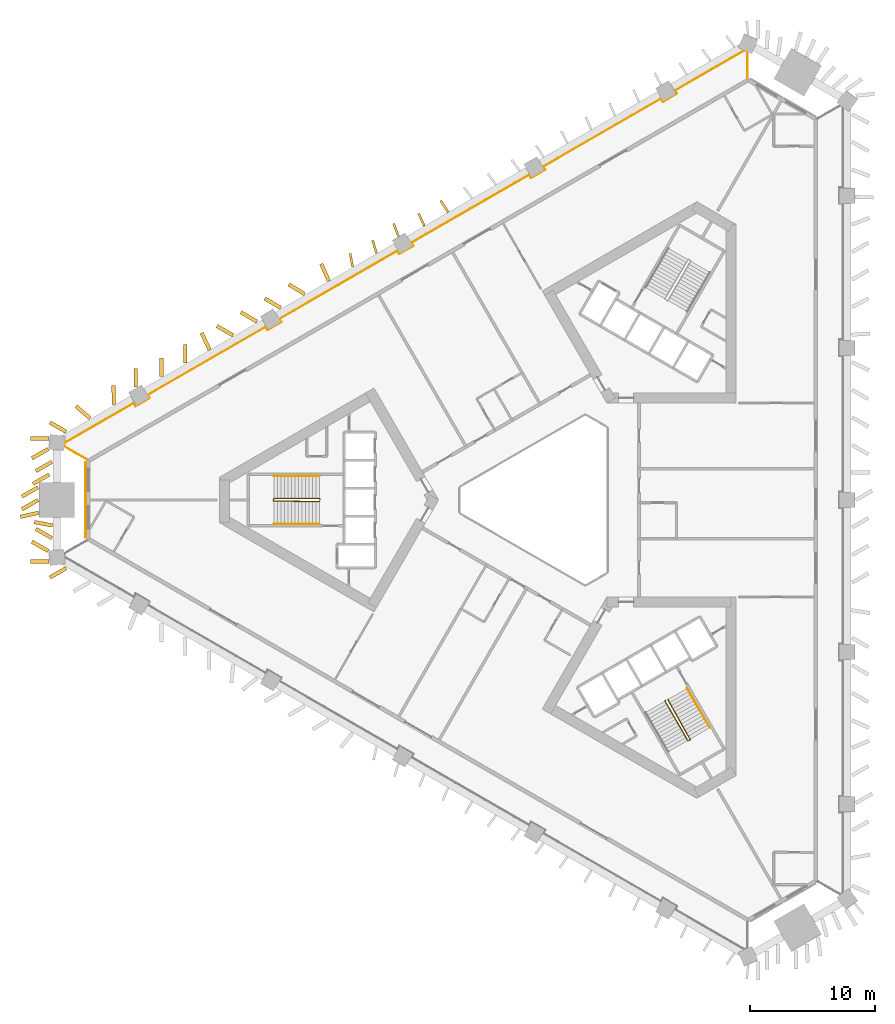
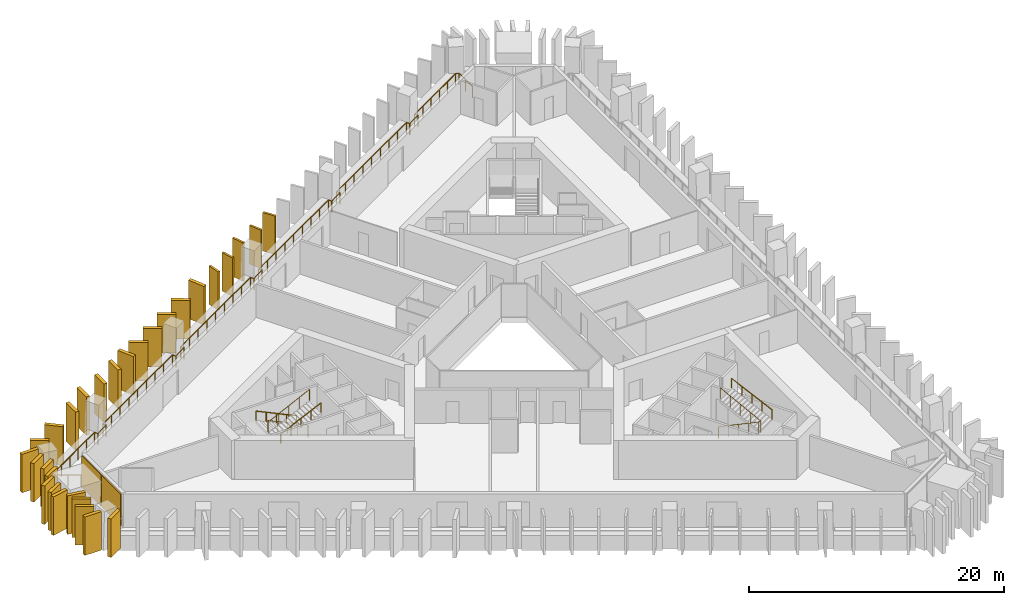
# One storey, part 8 of 10: 29 shading devices, 6 railings, 2 coverings.
"""IFC4 building model written with IfcOpenShell, lengths in metres."""

from ifc_helpers import new_model, si_unit, direction, frame, frame_2d, origin, origin_2d, place, context, subcontext, project, spatial, rectangle, circle, extrude, material, layer, layer_set, type_object, element, save


model = new_model("IFC4")

# Units and contexts
model_context = context("Model", 3, precision=1e-05, world=origin(), true_north=direction((0.0, 1.0)))
body_context = subcontext(model_context, "Body", "Model", "MODEL_VIEW")
ifc_project = project(units=[si_unit("LENGTHUNIT", "METRE"), si_unit("AREAUNIT", "SQUARE_METRE"), si_unit("VOLUMEUNIT", "CUBIC_METRE"), si_unit("PLANEANGLEUNIT", "RADIAN"), si_unit("MASSUNIT", "GRAM", prefix="KILO")], contexts=[model_context])

# Site, building, storey
site_placement = place(None, origin())
site = spatial("IfcSite", under=ifc_project, at=site_placement, CompositionType="ELEMENT")
building_placement = place(site_placement, origin())
building = spatial("IfcBuilding", under=site, at=building_placement, Name="Jabali Bay Hotel Tower and Convention Centre", CompositionType="ELEMENT")
storey_placement = place(building_placement, frame((0.0, 0.0, 41.10009765625)))
storey = spatial("IfcBuildingStorey", under=building, at=storey_placement, Name="L08", CompositionType="ELEMENT", Elevation=41.10009765625)

# Railing
ifc_material_1 = material(Name="Glass", Category="glass")
railing_type_1 = type_object("IfcRailingType", Name="Loggia glass guard 1100", PredefinedType="BALUSTRADE", material=ifc_material_1)
railing_1_placement = place(storey_placement, frame((37.72021484375, 83.274658203125, 0.0)))
element("IfcRailing", 1, at=railing_1_placement, inside=storey, type_object=railing_type_1, Name="Loggia glass guard L08", PredefinedType="BALUSTRADE", context=body_context, shape_type="SweptSolid", body=[
    extrude(circle(Radius=0.02490234375, at=origin_2d()), frame((0.0, 0.0, 1.0751953125), z_axis=(-0.866005633567, 0.500034241458, 0.0), x_axis=(-0.495756379204, -0.858596835321, 0.13052619222)), (0.0, 0.0, 1.0), 2.055908203125),
    extrude(circle(Radius=0.02490234375, at=origin_2d()), frame((-1.780517578125, 1.028076171875, 1.0751953125), z_axis=(0.115132230487, 0.993350174663, 0.0), x_axis=(-0.984851926214, 0.114147258294, 0.13052619222)), (0.0, 0.0, 1.0), 0.2734375),
    extrude(circle(Radius=0.02490234375, at=origin_2d()), frame((-1.7490234375, 1.2998046875, 1.0751953125), z_axis=(0.866039286129, 0.499975954304, 0.0), x_axis=(-0.495698590705, 0.85863019998, 0.13052619222)), (0.0, 0.0, 1.0), 6.419189453125),
    extrude(circle(Radius=0.02490234375, at=origin_2d()), frame((3.810302734375, 4.50927734375, 1.0751953125), z_axis=(0.500426713919, -0.865778900179, 0.0), x_axis=(0.858372041669, 0.49614549401, 0.13052619222)), (0.0, 0.0, 1.0), 0.300048828125),
    extrude(circle(Radius=0.02490234375, at=origin_2d()), frame((3.96044921875, 4.24951171875, 1.0751953125), z_axis=(0.86595725628, 0.500118016368, 0.0), x_axis=(-0.495839437409, 0.858548871908, 0.13052619222)), (0.0, 0.0, 1.0), 1.300048828125),
    extrude(circle(Radius=0.02490234375, at=origin_2d()), frame((5.086181640625, 4.899658203125, 1.0751953125), z_axis=(-0.499816412211, 0.866131372301, 0.0), x_axis=(-0.858721498343, -0.495540413517, 0.13052619222)), (0.0, 0.0, 1.0), 0.2998046875),
    extrude(circle(Radius=0.02490234375, at=origin_2d()), frame((4.936279296875, 5.159423828125, 1.0751953125), z_axis=(0.866026630959, 0.499997874465, 0.0), x_axis=(-0.495720323336, 0.858617653077, 0.13052619222)), (0.0, 0.0, 1.0), 10.92138671875),
    extrude(circle(Radius=0.02490234375, at=origin_2d()), frame((14.39453125, 10.6201171875, 1.0751953125), z_axis=(0.500426713919, -0.865778900179, 0.0), x_axis=(0.858372041669, 0.49614549401, 0.13052619222)), (0.0, 0.0, 1.0), 0.300048828125),
    extrude(circle(Radius=0.02490234375, at=origin_2d()), frame((14.544677734375, 10.3603515625, 1.0751953125), z_axis=(0.86595725628, 0.500118016368, 0.0), x_axis=(-0.495839437409, 0.858548871908, 0.13052619222)), (0.0, 0.0, 1.0), 1.300048828125),
    extrude(circle(Radius=0.02490234375, at=origin_2d()), frame((15.67041015625, 11.010498046875, 1.0751953125), z_axis=(-0.499816412211, 0.866131372301, 0.0), x_axis=(-0.858721498343, -0.495540413517, 0.13052619222)), (0.0, 0.0, 1.0), 0.2998046875),
    extrude(circle(Radius=0.02490234375, at=origin_2d()), frame((15.5205078125, 11.270263671875, 1.0751953125), z_axis=(0.866032219316, 0.499988194968, 0.0), x_axis=(-0.495710726648, 0.858623193625, 0.13052619222)), (0.0, 0.0, 1.0), 10.921630859375),
    extrude(circle(Radius=0.02490234375, at=origin_2d()), frame((24.97900390625, 16.73095703125, 1.0751953125), z_axis=(0.499816412211, -0.866131372301, 0.0), x_axis=(0.858721498343, 0.495540413517, 0.13052619222)), (0.0, 0.0, 1.0), 0.2998046875),
    extrude(circle(Radius=0.02490234375, at=origin_2d()), frame((25.12890625, 16.47119140625, 1.0751953125), z_axis=(0.86595725628, 0.500118016368, 0.0), x_axis=(-0.495839437409, 0.858548871908, 0.13052619222)), (0.0, 0.0, 1.0), 1.300048828125),
    extrude(circle(Radius=0.02490234375, at=origin_2d()), frame((26.254638671875, 17.121337890625, 1.0751953125), z_axis=(-0.499816412211, 0.866131372301, 0.0), x_axis=(-0.858721498343, -0.495540413517, 0.13052619222)), (0.0, 0.0, 1.0), 0.2998046875),
    extrude(circle(Radius=0.02490234375, at=origin_2d()), frame((26.104736328125, 17.381103515625, 1.0751953125), z_axis=(0.866032219316, 0.499988194968, 0.0), x_axis=(-0.495710726648, 0.858623193625, 0.13052619222)), (0.0, 0.0, 1.0), 10.921630859375),
    extrude(circle(Radius=0.02490234375, at=origin_2d()), frame((35.563232421875, 22.841796875, 1.0751953125), z_axis=(0.499816412211, -0.866131372301, 0.0), x_axis=(0.858721498343, 0.495540413517, 0.13052619222)), (0.0, 0.0, 1.0), 0.2998046875),
    extrude(circle(Radius=0.02490234375, at=origin_2d()), frame((35.713134765625, 22.58203125, 1.0751953125), z_axis=(0.866004217611, 0.500036693733, 0.0), x_axis=(-0.4957588105, 0.858595431479, 0.13052619222)), (0.0, 0.0, 1.0), 1.30029296875),
    extrude(circle(Radius=0.02490234375, at=origin_2d()), frame((36.839111328125, 23.232177734375, 1.0751953125), z_axis=(-0.500426713919, 0.865778900179, 0.0), x_axis=(-0.858372041669, -0.49614549401, 0.13052619222)), (0.0, 0.0, 1.0), 0.300048828125),
    extrude(circle(Radius=0.02490234375, at=origin_2d()), frame((36.68896484375, 23.491943359375, 1.0751953125), z_axis=(0.866032219316, 0.499988194968, 0.0), x_axis=(-0.495710726648, 0.858623193625, 0.13052619222)), (0.0, 0.0, 1.0), 10.921630859375),
    extrude(circle(Radius=0.02490234375, at=origin_2d()), frame((46.1474609375, 28.95263671875, 1.0751953125), z_axis=(0.500426713919, -0.865778900179, 0.0), x_axis=(0.858372041669, 0.49614549401, 0.13052619222)), (0.0, 0.0, 1.0), 0.300048828125),
    extrude(circle(Radius=0.02490234375, at=origin_2d()), frame((46.297607421875, 28.69287109375, 1.0751953125), z_axis=(0.86595725628, 0.500118016368, 0.0), x_axis=(-0.495839437409, 0.858548871908, 0.13052619222)), (0.0, 0.0, 1.0), 1.300048828125),
    extrude(circle(Radius=0.02490234375, at=origin_2d()), frame((47.42333984375, 29.343017578125, 1.0751953125), z_axis=(-0.499816412211, 0.866131372301, 0.0), x_axis=(-0.858721498343, -0.495540413517, 0.13052619222)), (0.0, 0.0, 1.0), 0.2998046875),
    extrude(circle(Radius=0.02490234375, at=origin_2d()), frame((47.2734375, 29.602783203125, 1.0751953125), z_axis=(0.866013309323, 0.500020947636, 0.0), x_axis=(-0.495743199113, 0.85860444541, 0.13052619222)), (0.0, 0.0, 1.0), 6.419189453125),
    extrude(circle(Radius=0.02490234375, at=origin_2d()), frame((52.83251953125, 32.8125, 1.0751953125), z_axis=(0.917848253155, -0.396931460305, 0.0), x_axis=(0.393535656637, 0.909995934112, 0.13052619222)), (0.0, 0.0, 1.0), 0.273681640625),
    extrude(circle(Radius=0.02490234375, at=origin_2d()), frame((53.083740234375, 32.703857421875, 1.0751953125), z_axis=(0.0, -1.0, 0.0), x_axis=(0.991444861374, 0.0, 0.13052619222)), (0.0, 0.0, 1.0), 2.055908203125),
    extrude(circle(Radius=0.02001953125, at=origin_2d()), origin(), (0.0, 0.0, 1.0), 1.050048828125),
    extrude(circle(Radius=0.02001953125, at=origin_2d()), frame((-0.89013671875, 0.51416015625, 0.0)), (0.0, 0.0, 1.0), 1.050048828125),
    extrude(circle(Radius=0.02001953125, at=origin_2d()), frame((-1.780517578125, 1.028076171875, 0.0)), (0.0, 0.0, 1.0), 1.050048828125),
    extrude(circle(Radius=0.02001953125, at=origin_2d()), frame((-1.7490234375, 1.2998046875, 0.0)), (0.0, 0.0, 1.0), 1.050048828125),
    extrude(circle(Radius=0.02001953125, at=origin_2d()), frame((-0.63720703125, 1.941650390625, 0.0)), (0.0, 0.0, 1.0), 1.050048828125),
    extrude(circle(Radius=0.02001953125, at=origin_2d()), frame((0.474609375, 2.58349609375, 0.0)), (0.0, 0.0, 1.0), 1.050048828125),
    extrude(circle(Radius=0.02001953125, at=origin_2d()), frame((1.586669921875, 3.2255859375, 0.0)), (0.0, 0.0, 1.0), 1.050048828125),
    extrude(circle(Radius=0.02001953125, at=origin_2d()), frame((2.698486328125, 3.867431640625, 0.0)), (0.0, 0.0, 1.0), 1.050048828125),
    extrude(circle(Radius=0.02001953125, at=origin_2d()), frame((3.810302734375, 4.50927734375, 0.0)), (0.0, 0.0, 1.0), 1.050048828125),
    extrude(circle(Radius=0.02001953125, at=origin_2d()), frame((3.96044921875, 4.24951171875, 0.0)), (0.0, 0.0, 1.0), 1.050048828125),
    extrude(circle(Radius=0.02001953125, at=origin_2d()), frame((5.086181640625, 4.899658203125, 0.0)), (0.0, 0.0, 1.0), 1.050048828125),
    extrude(circle(Radius=0.02001953125, at=origin_2d()), frame((4.936279296875, 5.159423828125, 0.0)), (0.0, 0.0, 1.0), 1.050048828125),
    extrude(circle(Radius=0.02001953125, at=origin_2d()), frame((6.11865234375, 5.842041015625, 0.0)), (0.0, 0.0, 1.0), 1.050048828125),
    extrude(circle(Radius=0.02001953125, at=origin_2d()), frame((7.30078125, 6.524658203125, 0.0)), (0.0, 0.0, 1.0), 1.050048828125),
    extrude(circle(Radius=0.02001953125, at=origin_2d()), frame((8.483154296875, 7.207275390625, 0.0)), (0.0, 0.0, 1.0), 1.050048828125),
    extrude(circle(Radius=0.02001953125, at=origin_2d()), frame((9.66552734375, 7.8896484375, 0.0)), (0.0, 0.0, 1.0), 1.050048828125),
    extrude(circle(Radius=0.02001953125, at=origin_2d()), frame((10.84765625, 8.572265625, 0.0)), (0.0, 0.0, 1.0), 1.050048828125),
    extrude(circle(Radius=0.02001953125, at=origin_2d()), frame((12.030029296875, 9.2548828125, 0.0)), (0.0, 0.0, 1.0), 1.050048828125),
    extrude(circle(Radius=0.02001953125, at=origin_2d()), frame((13.212158203125, 9.9375, 0.0)), (0.0, 0.0, 1.0), 1.050048828125),
    extrude(circle(Radius=0.02001953125, at=origin_2d()), frame((14.39453125, 10.6201171875, 0.0)), (0.0, 0.0, 1.0), 1.050048828125),
    extrude(circle(Radius=0.02001953125, at=origin_2d()), frame((14.544677734375, 10.3603515625, 0.0)), (0.0, 0.0, 1.0), 1.050048828125),
    extrude(circle(Radius=0.02001953125, at=origin_2d()), frame((15.67041015625, 11.010498046875, 0.0)), (0.0, 0.0, 1.0), 1.050048828125),
    extrude(circle(Radius=0.02001953125, at=origin_2d()), frame((15.5205078125, 11.270263671875, 0.0)), (0.0, 0.0, 1.0), 1.050048828125),
    extrude(circle(Radius=0.02001953125, at=origin_2d()), frame((16.702880859375, 11.952880859375, 0.0)), (0.0, 0.0, 1.0), 1.050048828125),
    extrude(circle(Radius=0.02001953125, at=origin_2d()), frame((17.88525390625, 12.635498046875, 0.0)), (0.0, 0.0, 1.0), 1.050048828125),
    extrude(circle(Radius=0.02001953125, at=origin_2d()), frame((19.0673828125, 13.318115234375, 0.0)), (0.0, 0.0, 1.0), 1.050048828125),
    extrude(circle(Radius=0.02001953125, at=origin_2d()), frame((20.249755859375, 14.00048828125, 0.0)), (0.0, 0.0, 1.0), 1.050048828125),
    extrude(circle(Radius=0.02001953125, at=origin_2d()), frame((21.43212890625, 14.68310546875, 0.0)), (0.0, 0.0, 1.0), 1.050048828125),
    extrude(circle(Radius=0.02001953125, at=origin_2d()), frame((22.6142578125, 15.36572265625, 0.0)), (0.0, 0.0, 1.0), 1.050048828125),
    extrude(circle(Radius=0.02001953125, at=origin_2d()), frame((23.796630859375, 16.04833984375, 0.0)), (0.0, 0.0, 1.0), 1.050048828125),
    extrude(circle(Radius=0.02001953125, at=origin_2d()), frame((24.97900390625, 16.73095703125, 0.0)), (0.0, 0.0, 1.0), 1.050048828125),
    extrude(circle(Radius=0.02001953125, at=origin_2d()), frame((25.12890625, 16.47119140625, 0.0)), (0.0, 0.0, 1.0), 1.050048828125),
    extrude(circle(Radius=0.02001953125, at=origin_2d()), frame((26.254638671875, 17.121337890625, 0.0)), (0.0, 0.0, 1.0), 1.050048828125),
    extrude(circle(Radius=0.02001953125, at=origin_2d()), frame((26.104736328125, 17.381103515625, 0.0)), (0.0, 0.0, 1.0), 1.050048828125),
    extrude(circle(Radius=0.02001953125, at=origin_2d()), frame((27.287109375, 18.063720703125, 0.0)), (0.0, 0.0, 1.0), 1.050048828125),
    extrude(circle(Radius=0.02001953125, at=origin_2d()), frame((28.46923828125, 18.746337890625, 0.0)), (0.0, 0.0, 1.0), 1.050048828125),
    extrude(circle(Radius=0.02001953125, at=origin_2d()), frame((29.651611328125, 19.428955078125, 0.0)), (0.0, 0.0, 1.0), 1.050048828125),
    extrude(circle(Radius=0.02001953125, at=origin_2d()), frame((30.833984375, 20.111328125, 0.0)), (0.0, 0.0, 1.0), 1.050048828125),
    extrude(circle(Radius=0.02001953125, at=origin_2d()), frame((32.016357421875, 20.7939453125, 0.0)), (0.0, 0.0, 1.0), 1.050048828125),
    extrude(circle(Radius=0.02001953125, at=origin_2d()), frame((33.19873046875, 21.4765625, 0.0)), (0.0, 0.0, 1.0), 1.050048828125),
    extrude(circle(Radius=0.02001953125, at=origin_2d()), frame((34.380859375, 22.1591796875, 0.0)), (0.0, 0.0, 1.0), 1.050048828125),
    extrude(circle(Radius=0.02001953125, at=origin_2d()), frame((35.563232421875, 22.841796875, 0.0)), (0.0, 0.0, 1.0), 1.050048828125),
    extrude(circle(Radius=0.02001953125, at=origin_2d()), frame((35.713134765625, 22.58203125, 0.0)), (0.0, 0.0, 1.0), 1.050048828125),
    extrude(circle(Radius=0.02001953125, at=origin_2d()), frame((36.839111328125, 23.232177734375, 0.0)), (0.0, 0.0, 1.0), 1.050048828125),
    extrude(circle(Radius=0.02001953125, at=origin_2d()), frame((36.68896484375, 23.491943359375, 0.0)), (0.0, 0.0, 1.0), 1.050048828125),
    extrude(circle(Radius=0.02001953125, at=origin_2d()), frame((37.871337890625, 24.174560546875, 0.0)), (0.0, 0.0, 1.0), 1.050048828125),
    extrude(circle(Radius=0.02001953125, at=origin_2d()), frame((39.0537109375, 24.857177734375, 0.0)), (0.0, 0.0, 1.0), 1.050048828125),
    extrude(circle(Radius=0.02001953125, at=origin_2d()), frame((40.23583984375, 25.539794921875, 0.0)), (0.0, 0.0, 1.0), 1.050048828125),
    extrude(circle(Radius=0.02001953125, at=origin_2d()), frame((41.418212890625, 26.22216796875, 0.0)), (0.0, 0.0, 1.0), 1.050048828125),
    extrude(circle(Radius=0.02001953125, at=origin_2d()), frame((42.6005859375, 26.90478515625, 0.0)), (0.0, 0.0, 1.0), 1.050048828125),
    extrude(circle(Radius=0.02001953125, at=origin_2d()), frame((43.78271484375, 27.58740234375, 0.0)), (0.0, 0.0, 1.0), 1.050048828125),
    extrude(circle(Radius=0.02001953125, at=origin_2d()), frame((44.965087890625, 28.27001953125, 0.0)), (0.0, 0.0, 1.0), 1.050048828125),
    extrude(circle(Radius=0.02001953125, at=origin_2d()), frame((46.1474609375, 28.95263671875, 0.0)), (0.0, 0.0, 1.0), 1.050048828125),
    extrude(circle(Radius=0.02001953125, at=origin_2d()), frame((46.297607421875, 28.69287109375, 0.0)), (0.0, 0.0, 1.0), 1.050048828125),
    extrude(circle(Radius=0.02001953125, at=origin_2d()), frame((47.42333984375, 29.343017578125, 0.0)), (0.0, 0.0, 1.0), 1.050048828125),
    extrude(circle(Radius=0.02001953125, at=origin_2d()), frame((47.2734375, 29.602783203125, 0.0)), (0.0, 0.0, 1.0), 1.050048828125),
    extrude(circle(Radius=0.02001953125, at=origin_2d()), frame((48.38525390625, 30.24462890625, 0.0)), (0.0, 0.0, 1.0), 1.050048828125),
    extrude(circle(Radius=0.02001953125, at=origin_2d()), frame((49.4970703125, 30.88671875, 0.0)), (0.0, 0.0, 1.0), 1.050048828125),
    extrude(circle(Radius=0.02001953125, at=origin_2d()), frame((50.60888671875, 31.528564453125, 0.0)), (0.0, 0.0, 1.0), 1.050048828125),
    extrude(circle(Radius=0.02001953125, at=origin_2d()), frame((51.720703125, 32.170654296875, 0.0)), (0.0, 0.0, 1.0), 1.050048828125),
    extrude(circle(Radius=0.02001953125, at=origin_2d()), frame((52.83251953125, 32.8125, 0.0)), (0.0, 0.0, 1.0), 1.050048828125),
    extrude(circle(Radius=0.02001953125, at=origin_2d()), frame((53.083740234375, 32.703857421875, 0.0)), (0.0, 0.0, 1.0), 1.050048828125),
    extrude(circle(Radius=0.02001953125, at=origin_2d()), frame((53.083740234375, 31.67578125, 0.0)), (0.0, 0.0, 1.0), 1.050048828125),
    extrude(circle(Radius=0.02001953125, at=origin_2d()), frame((53.083740234375, 30.64794921875, 0.0)), (0.0, 0.0, 1.0), 1.050048828125),
])

# Shading devices
ifc_material_2 = material(Name="Precast concrete C60", Category="concrete")
ifc_layer_1 = layer(ifc_material_2, 0.179931640625)
ifc_layer_set_1 = layer_set([ifc_layer_1], Name="Precast concrete C60")
shading_device_type_1 = type_object("IfcShadingDeviceType", Name="Precast fin 3680 x 1100", PredefinedType="USERDEFINED", material=ifc_layer_set_1)
for number, where, z_axis, x_axis, name in (
    (2, (66.7685546875, 103.102294921875, 0.010009765625), (0.0, 0.0, 1.0), (-0.542864720572, 0.839820156437, 0.0), "Fin L08 050"),
    (3, (64.8515625, 101.999755859375, 0.010009765625), (0.0, 0.0, 1.0), (-0.418579594107, 0.908180116165, 0.0), "Fin L08 051"),
):
    element("IfcShadingDevice", number, at=place(storey_placement, frame(where, z_axis=z_axis, x_axis=x_axis)), inside=storey, type_object=shading_device_type_1, Name=name, ObjectType="FIN", PredefinedType="USERDEFINED", context=body_context, shape_type="SweptSolid", body=[
        extrude(rectangle(XDim=1.10009765625, YDim=0.179931640625, at=frame_2d((0.550048828125, 0.0))), origin(), (0.0, 0.0, 1.0), 3.679931640625),
    ])
for number, where, z_axis, x_axis, name in (
    (4, (62.780029296875, 101.16552734375, 0.010009765625), (0.0, 0.0, 1.0), (-0.358726187422, 0.933442832989, 0.0), "Fin L08 052"),
    (5, (61.015625, 99.79931640625, 0.010009765625), (0.0, 0.0, 1.0), (-0.289871867924, 0.957065462853, 0.0), "Fin L08 053"),
):
    element("IfcShadingDevice", number, at=place(storey_placement, frame(where, z_axis=z_axis, x_axis=x_axis)), inside=storey, type_object=shading_device_type_1, Name=name, ObjectType="FIN", PredefinedType="USERDEFINED", context=body_context, shape_type="SweptSolid", body=[
        extrude(rectangle(XDim=1.099853515625, YDim=0.179931640625, at=frame_2d((0.5498046875, 0.0))), origin(), (0.0, 0.0, 1.0), 3.679931640625),
    ])
shading_device_1_placement = place(storey_placement, frame((59.095703125, 98.702392578125, 0.010009765625), z_axis=(0.0, 0.0, 1.0), x_axis=(-0.176228485833, 0.984349287997, 0.0)))
element("IfcShadingDevice", 6, at=shading_device_1_placement, inside=storey, type_object=shading_device_type_1, Name="Fin L08 054", ObjectType="FIN", PredefinedType="USERDEFINED", context=body_context, shape_type="SweptSolid", body=[
    extrude(rectangle(XDim=1.10009765625, YDim=0.179931640625, at=frame_2d((0.550048828125, 0.0))), origin(), (0.0, 0.0, 1.0), 3.679931640625),
])
ifc_layer_2 = layer(ifc_material_2, 0.300048828125)
ifc_layer_set_2 = layer_set([ifc_layer_2], Name="Precast concrete C60")
shading_device_type_2 = type_object("IfcShadingDeviceType", Name="Precast fin 3680 x 1500", PredefinedType="USERDEFINED", material=ifc_layer_set_2)
for number, where, z_axis, x_axis, name in (
    (7, (57.188232421875, 97.58349609375, 0.010009765625), (0.0, 0.0, 1.0), (-0.408523083278, 0.912747988455, 0.0), "Fin L08 055"),
    (8, (55.2451171875, 96.52685546875, 0.010009765625), (0.0, 0.0, 1.0), (-0.853547270074, 0.52101541028, 0.0), "Fin L08 056"),
):
    element("IfcShadingDevice", number, at=place(storey_placement, frame(where, z_axis=z_axis, x_axis=x_axis)), inside=storey, type_object=shading_device_type_2, Name=name, ObjectType="FIN", PredefinedType="USERDEFINED", context=body_context, shape_type="SweptSolid", body=[
        extrude(rectangle(XDim=1.5, YDim=0.300048828125, at=frame_2d((0.75, 0.0))), origin(), (0.0, 0.0, 1.0), 3.679931640625),
    ])
shading_device_2_placement = place(storey_placement, frame((53.3291015625, 95.423095703125, 0.010009765625), z_axis=(0.0, 0.0, 1.0), x_axis=(-0.862364812042, 0.506287399559, 0.0)))
element("IfcShadingDevice", 9, at=shading_device_2_placement, inside=storey, type_object=shading_device_type_2, Name="Fin L08 057", ObjectType="FIN", PredefinedType="USERDEFINED", context=body_context, shape_type="SweptSolid", body=[
    extrude(rectangle(XDim=1.500244140625, YDim=0.300048828125, at=frame_2d((0.75, 0.0))), origin(), (0.0, 0.0, 1.0), 3.679931640625),
])
for number, where, z_axis, x_axis, name in (
    (10, (51.413818359375, 94.318115234375, 0.010009765625), (0.0, 0.0, 1.0), (-0.865009998506, 0.50175462378, 0.0), "Fin L08 058"),
    (11, (49.498779296875, 93.212646484375, 0.010009765625), (0.0, 0.0, 1.0), (-0.86566760887, 0.500619207536, 0.0), "Fin L08 059"),
    (12, (47.614990234375, 92.05322265625, 0.010009765625), (0.0, 0.0, 1.0), (-0.42579703633, 0.904818702201, 0.0), "Fin L08 060"),
    (13, (45.668701171875, 91.001708984375, 0.010009765625), (0.0, 0.0, 1.0), (0.0, 1.0, 0.0), "Fin L08 061"),
    (14, (43.75390625, 89.89599609375, 0.010009765625), (0.0, 0.0, 1.0), (-0.000162760415, 0.999999986755, 0.0), "Fin L08 062"),
    (15, (41.68505859375, 89.056640625, 0.010009765625), (0.0, 0.0, 1.0), (0.0, 1.0, 0.0), "Fin L08 063"),
    (16, (39.925048828125, 87.6826171875, 0.010009765625), (0.0, 0.0, 1.0), (-0.018554513255, 0.999827850201, 0.0), "Fin L08 064"),
    (17, (38.021240234375, 86.5576171875, 0.010009765625), (0.0, 0.0, 1.0), (-0.760725219422, 0.649074063983, 0.0), "Fin L08 065"),
    (18, (36.093994140625, 85.4736328125, 0.010009765625), (0.0, 0.0, 1.0), (-0.866031096941, 0.499990139034, 0.0), "Fin L08 066"),
    (19, (34.646484375, 84.09130859375, 0.010009765625), (0.0, 0.0, 1.0), (-0.866031096941, -0.499990139034, 0.0), "Fin L08 067"),
    (20, (34.95849609375, 83.068359375, 0.010009765625), (0.0, 0.0, 1.0), (-0.866031096941, -0.499990139034, 0.0), "Fin L08 068"),
    (21, (34.7392578125, 82.045654296875, 0.010009765625), (0.0, 0.0, 1.0), (-0.866031096941, -0.499990139034, 0.0), "Fin L08 069"),
    (22, (33.84619140625, 81.022705078125, 0.010009765625), (0.0, 0.0, 1.0), (-0.866031096941, -0.499990139034, 0.0), "Fin L08 070"),
    (23, (33.84619140625, 80.0, 0.010009765625), (0.0, 0.0, 1.0), (-0.866031096941, -0.499990139034, 0.0), "Fin L08 071"),
    (24, (33.887939453125, 78.977294921875, 0.010009765625), (0.0, 0.0, 1.0), (-0.975337105707, -0.220720479863, 0.0), "Fin L08 072"),
    (25, (35.005859375, 77.954345703125, 0.010009765625), (0.0, 0.0, 1.0), (-0.983033946325, 0.18342371813, 0.0), "Fin L08 073"),
    (26, (34.95849609375, 76.931640625, 0.010009765625), (0.0, 0.0, 1.0), (-0.866031096941, 0.499990139034, 0.0), "Fin L08 074"),
    (27, (34.646484375, 75.90869140625, 0.010009765625), (0.0, 0.0, 1.0), (-0.866031096941, 0.499990139034, 0.0), "Fin L08 075"),
    (28, (36.093994140625, 74.5263671875, 0.010009765625), (0.0, 0.0, 1.0), (-0.866031096941, -0.499990139034, 0.0), "Fin L08 076"),
    (29, (34.738037109375, 84.938720703125, 0.010009765625), (0.0, 0.0, 1.0), (-1.0, 0.0, 0.0), "Fin L08 117"),
    (30, (34.738037109375, 75.061279296875, 0.010009765625), (0.0, 0.0, 1.0), (-1.0, 0.0, 0.0), "Fin L08 118"),
):
    element("IfcShadingDevice", number, at=place(storey_placement, frame(where, z_axis=z_axis, x_axis=x_axis)), inside=storey, type_object=shading_device_type_2, Name=name, ObjectType="FIN", PredefinedType="USERDEFINED", context=body_context, shape_type="SweptSolid", body=[
        extrude(rectangle(XDim=1.5, YDim=0.300048828125, at=frame_2d((0.75, 0.0))), origin(), (0.0, 0.0, 1.0), 3.679931640625),
    ])

# Coverings
ifc_material_3 = material(Name="Precast concrete C40/50", Category="concrete")
ifc_layer_3 = layer(ifc_material_3, 0.080078125)
ifc_layer_set_3 = layer_set([ifc_layer_3], Name="Precast concrete C40/50")
covering_type = type_object("IfcCoveringType", Name="Relief panel 3000 x 3000", PredefinedType="CLADDING", material=ifc_layer_set_3)
for number, where, z_axis, x_axis, name in (
    (31, (37.68017578125, 78.45654296875, 0.099853515625), (0.0, 0.0, 1.0), (0.0, 1.0, 0.0), "Relief panel L08"),
    (32, (37.68017578125, 81.54345703125, 0.099853515625), (0.0, 0.0, 1.0), (0.0, 1.0, 0.0), "Relief panel L08"),
):
    element("IfcCovering", number, at=place(storey_placement, frame(where, z_axis=z_axis, x_axis=x_axis)), inside=storey, type_object=covering_type, Name=name, PredefinedType="CLADDING", context=body_context, shape_type="SweptSolid", body=[
        extrude(rectangle(XDim=3.0, YDim=0.080078125, at=origin_2d()), origin(), (0.0, 0.0, 1.0), 3.0),
    ])

# Railings
ifc_material_4 = material(Name="Steel Q355B", Category="steel")
railing_type_2 = type_object("IfcRailingType", Name="Stair guard 1100", PredefinedType="GUARDRAIL", material=ifc_material_4)
railing_2_placement = place(storey_placement, frame((56.469970703125, 80.074951171875, 0.0)))
element("IfcRailing", 33, at=railing_2_placement, inside=storey, type_object=railing_type_2, Name="L08 ST1 stair guard 1", PredefinedType="GUARDRAIL", context=body_context, shape_type="SweptSolid", body=[
    extrude(circle(Radius=0.02392578125, at=origin_2d()), frame((0.0, 0.0, 1.076171875), z_axis=(-0.333993628408, 0.333993628408, 0.881417331555), x_axis=(-0.707106781187, -0.707106781187, 0.0)), (0.0, 0.0, 1.0), 0.14990234375),
    extrude(circle(Radius=0.02392578125, at=origin_2d()), frame((-0.050048828125, 0.050048828125, 1.2080078125), z_axis=(-0.904350763662, 0.0, 0.426789990819), x_axis=(0.0, -1.0, 0.0)), (0.0, 0.0, 1.0), 4.02490234375),
    extrude(circle(Radius=0.02392578125, at=origin_2d()), frame((-3.68994140625, 0.050048828125, 2.92578125), z_axis=(-0.242814311512, -0.970072785993, 0.0), x_axis=(0.970072785993, -0.242814311512, 0.0)), (0.0, 0.0, 1.0), 0.2060546875),
    extrude(circle(Radius=0.02392578125, at=origin_2d()), frame((-3.739990234375, -0.14990234375, 2.92578125), z_axis=(0.893864111827, -0.012124000458, 0.448174026692), x_axis=(0.013562335953, 0.999908027292, 0.0)), (0.0, 0.0, 1.0), 4.128173828125),
    extrude(circle(Radius=0.02099609375, at=origin_2d()), origin(), (0.0, 0.0, 1.0), 1.052001953125),
    extrude(circle(Radius=0.02099609375, at=origin_2d()), frame((-0.050048828125, 0.050048828125, 0.132080078125)), (0.0, 0.0, 1.0), 1.052001953125),
    extrude(circle(Radius=0.02099609375, at=origin_2d()), frame((-0.9599609375, 0.050048828125, 0.5615234375)), (0.0, 0.0, 1.0), 1.052001953125),
    extrude(circle(Radius=0.02099609375, at=origin_2d()), frame((-1.8701171875, 0.050048828125, 0.990966796875)), (0.0, 0.0, 1.0), 1.052001953125),
    extrude(circle(Radius=0.02099609375, at=origin_2d()), frame((-2.780029296875, 0.050048828125, 1.42041015625)), (0.0, 0.0, 1.0), 1.052001953125),
    extrude(circle(Radius=0.02099609375, at=origin_2d()), frame((-3.68994140625, 0.050048828125, 1.849853515625)), (0.0, 0.0, 1.0), 1.052001953125),
    extrude(circle(Radius=0.02099609375, at=origin_2d()), frame((-3.739990234375, -0.14990234375, 1.849853515625)), (0.0, 0.0, 1.0), 1.052001953125),
    extrude(circle(Radius=0.02099609375, at=origin_2d()), frame((-2.8173828125, -0.162353515625, 2.3125)), (0.0, 0.0, 1.0), 1.052001953125),
    extrude(circle(Radius=0.02099609375, at=origin_2d()), frame((-1.89501953125, -0.1748046875, 2.77490234375)), (0.0, 0.0, 1.0), 1.052001953125),
    extrude(circle(Radius=0.02099609375, at=origin_2d()), frame((-0.97265625, -0.1875, 3.2373046875)), (0.0, 0.0, 1.0), 1.052001953125),
    extrude(circle(Radius=0.02099609375, at=origin_2d()), frame((-0.050048828125, -0.199951171875, 3.699951171875)), (0.0, 0.0, 1.0), 1.052001953125),
])
railing_3_placement = place(storey_placement, frame((84.199951171875, 63.9150390625, 0.0)))
element("IfcRailing", 34, at=railing_3_placement, inside=storey, type_object=railing_type_2, Name="L08 ST3 stair guard 1", PredefinedType="GUARDRAIL", context=body_context, shape_type="SweptSolid", body=[
    extrude(circle(Radius=0.02392578125, at=origin_2d()), frame((0.0, 0.0, 1.076171875), z_axis=(-0.122196845461, -0.456201556387, 0.881446578591), x_axis=(0.965948051503, -0.258736085224, 0.0)), (0.0, 0.0, 1.0), 0.14990234375),
    extrude(circle(Radius=0.02392578125, at=origin_2d()), frame((-0.018310546875, -0.068359375, 1.2080078125), z_axis=(0.452190331055, -0.783190014029, 0.426775475427), x_axis=(0.866018046521, 0.500012742938, 0.0)), (0.0, 0.0, 1.0), 4.02490234375),
    extrude(circle(Radius=0.02392578125, at=origin_2d()), frame((1.8017578125, -3.220703125, 2.92578125), z_axis=(0.96121063429, 0.275815366736, 0.0), x_axis=(-0.275815366736, 0.96121063429, 0.0)), (0.0, 0.0, 1.0), 0.206298828125),
    extrude(circle(Radius=0.02392578125, at=origin_2d()), frame((2.0, -3.163818359375, 2.92578125), z_axis=(-0.436470229993, 0.780146179382, 0.448180406895), x_axis=(-0.872702246529, -0.488252792008, 0.0)), (0.0, 0.0, 1.0), 4.1279296875),
    extrude(circle(Radius=0.02099609375, at=origin_2d()), origin(), (0.0, 0.0, 1.0), 1.052001953125),
    extrude(circle(Radius=0.02099609375, at=origin_2d()), frame((-0.018310546875, -0.068359375, 0.132080078125)), (0.0, 0.0, 1.0), 1.052001953125),
    extrude(circle(Radius=0.02099609375, at=origin_2d()), frame((0.436767578125, -0.8564453125, 0.5615234375)), (0.0, 0.0, 1.0), 1.052001953125),
    extrude(circle(Radius=0.02099609375, at=origin_2d()), frame((0.8916015625, -1.64453125, 0.990966796875)), (0.0, 0.0, 1.0), 1.052001953125),
    extrude(circle(Radius=0.02099609375, at=origin_2d()), frame((1.3466796875, -2.4326171875, 1.42041015625)), (0.0, 0.0, 1.0), 1.052001953125),
    extrude(circle(Radius=0.02099609375, at=origin_2d()), frame((1.8017578125, -3.220703125, 1.849853515625)), (0.0, 0.0, 1.0), 1.052001953125),
    extrude(circle(Radius=0.02099609375, at=origin_2d()), frame((2.0, -3.163818359375, 1.849853515625)), (0.0, 0.0, 1.0), 1.052001953125),
    extrude(circle(Radius=0.02099609375, at=origin_2d()), frame((1.549560546875, -2.358642578125, 2.3125)), (0.0, 0.0, 1.0), 1.052001953125),
    extrude(circle(Radius=0.02099609375, at=origin_2d()), frame((1.09912109375, -1.5537109375, 2.77490234375)), (0.0, 0.0, 1.0), 1.052001953125),
    extrude(circle(Radius=0.02099609375, at=origin_2d()), frame((0.648681640625, -0.74853515625, 3.2373046875)), (0.0, 0.0, 1.0), 1.052001953125),
    extrude(circle(Radius=0.02099609375, at=origin_2d()), frame((0.1982421875, 0.056640625, 3.699951171875)), (0.0, 0.0, 1.0), 1.052001953125),
])
railing_type_3 = type_object("IfcRailingType", Name="Stair handrail 900", PredefinedType="HANDRAIL", material=ifc_material_4)
railing_4_placement = place(storey_placement, frame((56.419921875, 81.925048828125, 0.132080078125)))
element("IfcRailing", 35, at=railing_4_placement, inside=storey, type_object=railing_type_3, Name="L08 ST1 stair handrail 1", PredefinedType="HANDRAIL", context=body_context, shape_type="SweptSolid", body=[
    extrude(circle(Radius=0.02392578125, at=origin_2d()), frame((0.0, 0.0, 0.8759765625), z_axis=(-0.904350763662, 0.0, 0.426789990819), x_axis=(0.0, -1.0, 0.0)), (0.0, 0.0, 1.0), 4.02490234375),
    extrude(circle(Radius=0.02099609375, at=origin_2d()), origin(), (0.0, 0.0, 1.0), 0.851806640625),
    extrude(circle(Radius=0.02099609375, at=origin_2d()), frame((-0.909912109375, 0.0, 0.429443359375)), (0.0, 0.0, 1.0), 0.851806640625),
    extrude(circle(Radius=0.02099609375, at=origin_2d()), frame((-1.81982421875, 0.0, 0.85888671875)), (0.0, 0.0, 1.0), 0.851806640625),
    extrude(circle(Radius=0.02099609375, at=origin_2d()), frame((-2.72998046875, 0.0, 1.288330078125)), (0.0, 0.0, 1.0), 0.851806640625),
    extrude(circle(Radius=0.02099609375, at=origin_2d()), frame((-3.639892578125, 0.0, 1.7177734375)), (0.0, 0.0, 1.0), 0.851806640625),
])
railing_5_placement = place(storey_placement, frame((52.780029296875, 78.074951171875, 1.98193359375)))
element("IfcRailing", 36, at=railing_5_placement, inside=storey, type_object=railing_type_3, Name="L08 ST1 stair handrail 2", PredefinedType="HANDRAIL", context=body_context, shape_type="SweptSolid", body=[
    extrude(circle(Radius=0.02392578125, at=origin_2d()), frame((0.0, 0.0, 0.8759765625), z_axis=(0.904327350853, 0.0, 0.426839598092), x_axis=(0.0, 1.0, 0.0)), (0.0, 0.0, 1.0), 4.02490234375),
    extrude(circle(Radius=0.02099609375, at=origin_2d()), origin(), (0.0, 0.0, 1.0), 0.851806640625),
    extrude(circle(Radius=0.02099609375, at=origin_2d()), frame((0.909912109375, 0.0, 0.429443359375)), (0.0, 0.0, 1.0), 0.851806640625),
    extrude(circle(Radius=0.02099609375, at=origin_2d()), frame((1.81982421875, 0.0, 0.85888671875)), (0.0, 0.0, 1.0), 0.851806640625),
    extrude(circle(Radius=0.02099609375, at=origin_2d()), frame((2.72998046875, 0.0, 1.28857421875)), (0.0, 0.0, 1.0), 0.851806640625),
    extrude(circle(Radius=0.02099609375, at=origin_2d()), frame((3.639892578125, 0.0, 1.718017578125)), (0.0, 0.0, 1.0), 0.851806640625),
])
railing_6_placement = place(storey_placement, frame((87.777099609375, 61.719482421875, 1.98193359375)))
element("IfcRailing", 37, at=railing_6_placement, inside=storey, type_object=railing_type_3, Name="L08 ST3 stair handrail 2", PredefinedType="HANDRAIL", context=body_context, shape_type="SweptSolid", body=[
    extrude(circle(Radius=0.02392578125, at=origin_2d()), frame((0.0, 0.0, 0.8759765625), z_axis=(-0.45217862506, 0.783169739339, 0.426825081763), x_axis=(-0.866018046521, -0.500012742938, 0.0)), (0.0, 0.0, 1.0), 4.025146484375),
    extrude(circle(Radius=0.02099609375, at=origin_2d()), origin(), (0.0, 0.0, 1.0), 0.851806640625),
    extrude(circle(Radius=0.02099609375, at=origin_2d()), frame((-0.455078125, 0.7880859375, 0.429443359375)), (0.0, 0.0, 1.0), 0.851806640625),
    extrude(circle(Radius=0.02099609375, at=origin_2d()), frame((-0.91015625, 1.576171875, 0.85888671875)), (0.0, 0.0, 1.0), 0.851806640625),
    extrude(circle(Radius=0.02099609375, at=origin_2d()), frame((-1.364990234375, 2.3642578125, 1.28857421875)), (0.0, 0.0, 1.0), 0.851806640625),
    extrude(circle(Radius=0.02099609375, at=origin_2d()), frame((-1.820068359375, 3.15234375, 1.718017578125)), (0.0, 0.0, 1.0), 0.851806640625),
])

save(model, "model.ifc")
